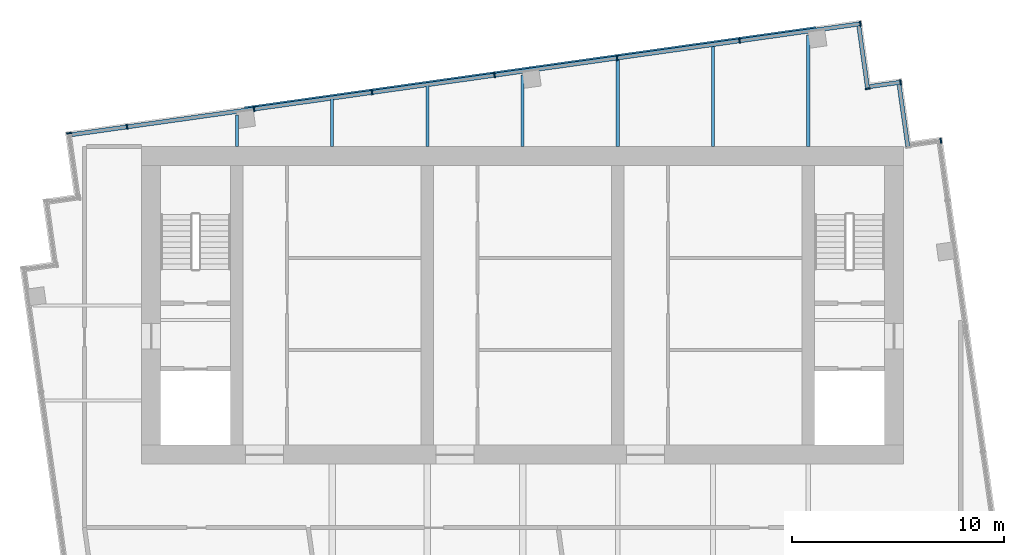
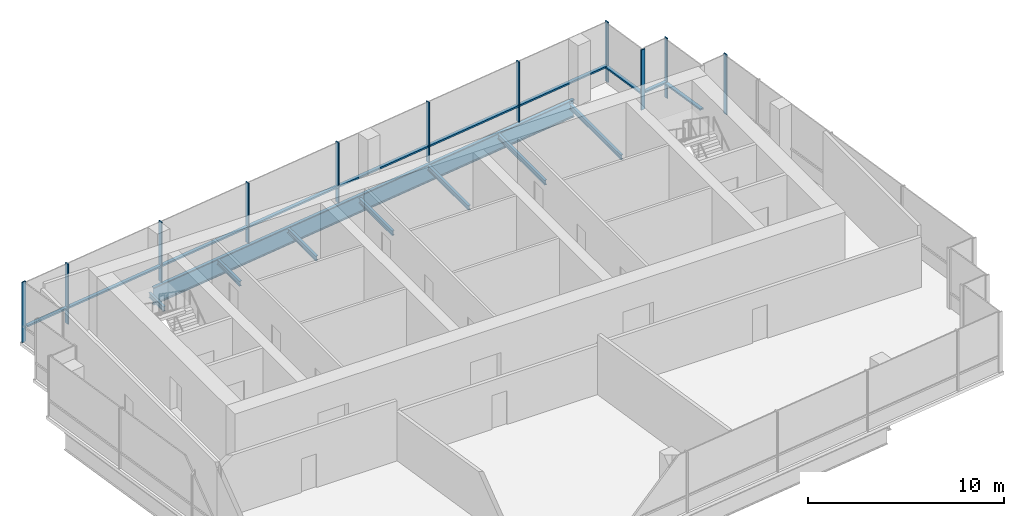
# One storey, part 5 of 9: 21 members, 9 beams, 6 elements without a shape of their own.
"""IFC4 building model written with IfcOpenShell, lengths in metres."""

from ifc_helpers import new_model, si_unit, direction, frame, origin, origin_2d, place, context, subcontext, project, spatial, rectangle, i_section, extrude, material, layer, layer_set, material_profile, profile_set, type_object, element, aggregate, save


model = new_model("IFC4")

# Units and contexts
model_context = context("Model", 3, precision=1e-05, world=origin(), true_north=direction((0.0, 1.0)))
body_context = subcontext(model_context, "Body", "Model", "MODEL_VIEW")
ifc_project = project(units=[si_unit("LENGTHUNIT", "METRE"), si_unit("AREAUNIT", "SQUARE_METRE"), si_unit("VOLUMEUNIT", "CUBIC_METRE"), si_unit("PLANEANGLEUNIT", "RADIAN"), si_unit("MASSUNIT", "GRAM", prefix="KILO")], contexts=[model_context])

# Site, building, storey
site_placement = place(None, origin())
site = spatial("IfcSite", under=ifc_project, at=site_placement, CompositionType="ELEMENT")
building_placement = place(site_placement, origin())
building = spatial("IfcBuilding", under=site, at=building_placement, Name="Rattan Terrace Tower", CompositionType="ELEMENT")
storey_placement = place(building_placement, frame((0.0, 0.0, 312.300048828125)))
storey = spatial("IfcBuildingStorey", under=building, at=storey_placement, Name="C06", CompositionType="ELEMENT", Elevation=312.300048828125)

# Beams
ifc_material_1 = material(Name="Steel S460", Category="steel")
ifc_material_profile_1 = material_profile(ifc_material_1, i_section(OverallWidth=0.179931640625, OverallDepth=1.10009765625, WebThickness=0.01611328125, FlangeThickness=0.050048828125, at=origin_2d()), Name="PG 1100x180-16-50")
ifc_profile_set_1 = profile_set([ifc_material_profile_1], Name="Steel S460")
beam_type_1 = type_object("IfcBeamType", Name="Frame edge girder PG 1100x180-16-50", PredefinedType="SPANDREL", material=ifc_profile_set_1)
beam_1_placement = place(storey_placement, frame((0.361083984375, 11.19189453125, -0.75), z_axis=(-0.990261517274, -0.139219709116, 0.0), x_axis=(0.139219709116, -0.990261517274, 0.0)))
element("IfcBeam", 1, at=beam_1_placement, inside=storey, type_object=beam_type_1, Name="gdr-C06-004", PredefinedType="SPANDREL", context=body_context, shape_type="SweptSolid", body=[
    extrude(i_section(OverallWidth=0.179931640625, OverallDepth=1.10009765625, WebThickness=0.01611328125, FlangeThickness=0.050048828125, at=origin_2d()), origin(), (0.0, 0.0, 1.0), 13.6328125),
])
beam_2_placement = place(storey_placement, frame((13.861083984375, 13.089111328125, -0.75), z_axis=(-0.990268922684, -0.139167024707, 0.0), x_axis=(0.139167024707, -0.990268922684, 0.0)))
element("IfcBeam", 2, at=beam_2_placement, inside=storey, type_object=beam_type_1, Name="gdr-C06-005", PredefinedType="SPANDREL", context=body_context, shape_type="SweptSolid", body=[
    extrude(i_section(OverallWidth=0.179931640625, OverallDepth=1.10009765625, WebThickness=0.01611328125, FlangeThickness=0.050048828125, at=origin_2d()), origin(), (0.0, 0.0, 1.0), 13.632568359375),
])
ifc_material_2 = material(Name="Steel S355", Category="steel")
ifc_material_profile_2 = material_profile(ifc_material_2, i_section(OverallWidth=0.14990234375, OverallDepth=0.300048828125, WebThickness=0.007080078125, FlangeThickness=0.0107421875, FilletRadius=0.014892578125, at=origin_2d()), Name="IPE 300")
ifc_profile_set_2 = profile_set([ifc_material_profile_2], Name="Steel S355")
beam_type_2 = type_object("IfcBeamType", Name="Frame floor beam IPE 300", PredefinedType="JOIST", material=ifc_profile_set_2)
beam_3_placement = place(storey_placement, frame((-13.5, 7.5, -0.35009765625), z_axis=(0.0, 1.0, 0.0), x_axis=(-1.0, 0.0, 0.0)))
element("IfcBeam", 3, at=beam_3_placement, inside=storey, type_object=beam_type_2, Name="bm-C06-011", PredefinedType="JOIST", context=body_context, shape_type="SweptSolid", body=[
    extrude(i_section(OverallWidth=0.14990234375, OverallDepth=0.300048828125, WebThickness=0.007080078125, FlangeThickness=0.0107421875, FilletRadius=0.014892578125, at=origin_2d()), origin(), (0.0, 0.0, 1.0), 1.487060546875),
])
beam_4_placement = place(storey_placement, frame((-9.0, 7.5, -0.35009765625), z_axis=(0.0, 1.0, 0.0), x_axis=(-1.0, 0.0, 0.0)))
element("IfcBeam", 4, at=beam_4_placement, inside=storey, type_object=beam_type_2, Name="bm-C06-012", PredefinedType="JOIST", context=body_context, shape_type="SweptSolid", body=[
    extrude(i_section(OverallWidth=0.14990234375, OverallDepth=0.300048828125, WebThickness=0.007080078125, FlangeThickness=0.0107421875, FilletRadius=0.014892578125, at=origin_2d()), origin(), (0.0, 0.0, 1.0), 2.284912109375),
])
beam_5_placement = place(storey_placement, frame((-4.5, 7.5, -0.35009765625), z_axis=(0.0, 1.0, 0.0), x_axis=(-1.0, 0.0, 0.0)))
element("IfcBeam", 5, at=beam_5_placement, inside=storey, type_object=beam_type_2, Name="bm-C06-013", PredefinedType="JOIST", context=body_context, shape_type="SweptSolid", body=[
    extrude(i_section(OverallWidth=0.14990234375, OverallDepth=0.300048828125, WebThickness=0.007080078125, FlangeThickness=0.0107421875, FilletRadius=0.014892578125, at=origin_2d()), origin(), (0.0, 0.0, 1.0), 2.91796875),
])
beam_6_placement = place(storey_placement, frame((0.0, 7.5, -0.35009765625), z_axis=(0.0, 1.0, 0.0), x_axis=(-1.0, 0.0, 0.0)))
element("IfcBeam", 6, at=beam_6_placement, inside=storey, type_object=beam_type_2, Name="bm-C06-014", PredefinedType="JOIST", context=body_context, shape_type="SweptSolid", body=[
    extrude(i_section(OverallWidth=0.14990234375, OverallDepth=0.300048828125, WebThickness=0.007080078125, FlangeThickness=0.0107421875, FilletRadius=0.014892578125, at=origin_2d()), origin(), (0.0, 0.0, 1.0), 3.385009765625),
])
beam_7_placement = place(storey_placement, frame((4.5, 7.5, -0.35009765625), z_axis=(0.0, 1.0, 0.0), x_axis=(-1.0, 0.0, 0.0)))
element("IfcBeam", 7, at=beam_7_placement, inside=storey, type_object=beam_type_2, Name="bm-C06-015", PredefinedType="JOIST", context=body_context, shape_type="SweptSolid", body=[
    extrude(i_section(OverallWidth=0.14990234375, OverallDepth=0.300048828125, WebThickness=0.007080078125, FlangeThickness=0.0107421875, FilletRadius=0.014892578125, at=origin_2d()), origin(), (0.0, 0.0, 1.0), 4.18310546875),
])
beam_8_placement = place(storey_placement, frame((9.0, 7.5, -0.35009765625), z_axis=(0.0, 1.0, 0.0), x_axis=(-1.0, 0.0, 0.0)))
element("IfcBeam", 8, at=beam_8_placement, inside=storey, type_object=beam_type_2, Name="bm-C06-016", PredefinedType="JOIST", context=body_context, shape_type="SweptSolid", body=[
    extrude(i_section(OverallWidth=0.14990234375, OverallDepth=0.300048828125, WebThickness=0.007080078125, FlangeThickness=0.0107421875, FilletRadius=0.014892578125, at=origin_2d()), origin(), (0.0, 0.0, 1.0), 4.81494140625),
])
beam_9_placement = place(storey_placement, frame((13.5, 7.5, -0.35009765625), z_axis=(0.0, 1.0, 0.0), x_axis=(-1.0, 0.0, 0.0)))
element("IfcBeam", 9, at=beam_9_placement, inside=storey, type_object=beam_type_2, Name="bm-C06-017", PredefinedType="JOIST", context=body_context, shape_type="SweptSolid", body=[
    extrude(i_section(OverallWidth=0.14990234375, OverallDepth=0.300048828125, WebThickness=0.007080078125, FlangeThickness=0.0107421875, FilletRadius=0.014892578125, at=origin_2d()), origin(), (0.0, 0.0, 1.0), 5.281982421875),
])

# Curtain wall, member
ifc_material_3 = material(Name="Aluminium and laminated glass", Category="aluminium")
ifc_layer = layer(ifc_material_3, 0.239990234375)
ifc_layer_set = layer_set([ifc_layer], Name="Lantern Stick Curtain Wall")
curtain_wall_type = type_object("IfcCurtainWallType", Name="Lantern Stick Curtain Wall", PredefinedType="NOTDEFINED", material=ifc_layer_set)
curtain_wall_1_placement = place(storey_placement, origin())
curtain_wall_1 = element("IfcCurtainWall", 10, at=curtain_wall_1_placement, inside=storey, type_object=curtain_wall_type, Name="Lantern curtain wall C06-12", PredefinedType="NOTDEFINED")
ifc_material_4 = material(Name="Aluminium", Category="aluminium")
ifc_material_profile_3 = material_profile(ifc_material_4, rectangle(XDim=0.070068359375, YDim=0.239990234375, at=origin_2d()), Name="Aluminium 70x240")
ifc_profile_set_3 = profile_set([ifc_material_profile_3], Name="Aluminium")
member_type_1 = type_object("IfcMemberType", Name="Lantern CW Mullion 70x240", PredefinedType="MULLION", material=ifc_profile_set_3)
member_1_placement = place(storey_placement, frame((19.763427734375, 7.77880859375, 0.0), z_axis=(0.0, 0.0, 1.0), x_axis=(-0.990227803001, -0.139459306479, 0.0)))
member_1 = element("IfcMember", 11, at=member_1_placement, type_object=member_type_1, Name="Mullion cwl-C06-012.1", PredefinedType="MULLION", context=body_context, shape_type="SweptSolid", body=[
    extrude(rectangle(XDim=0.070068359375, YDim=0.239990234375, at=origin_2d()), origin(), (0.0, 0.0, 1.0), 3.75),
])
aggregate(curtain_wall_1, [member_1])

curtain_wall_2_placement = place(storey_placement, origin())
curtain_wall_2 = element("IfcCurtainWall", 12, at=curtain_wall_2_placement, inside=storey, type_object=curtain_wall_type, Name="Lantern curtain wall C06-14", PredefinedType="NOTDEFINED")
member_2_placement = place(storey_placement, frame((17.860595703125, 10.54296875, 0.0), z_axis=(0.0, 0.0, 1.0), x_axis=(-0.990319742912, -0.13880492354, 0.0)))
member_2 = element("IfcMember", 13, at=member_2_placement, type_object=member_type_1, Name="Mullion cwl-C06-014.1", PredefinedType="MULLION", context=body_context, shape_type="SweptSolid", body=[
    extrude(rectangle(XDim=0.070068359375, YDim=0.239990234375, at=origin_2d()), origin(), (0.0, 0.0, 1.0), 3.75),
])

curtain_wall_3_placement = place(storey_placement, origin())
curtain_wall_3 = element("IfcCurtainWall", 14, at=curtain_wall_3_placement, inside=storey, type_object=curtain_wall_type, Name="Lantern curtain wall C06-15", PredefinedType="NOTDEFINED")
member_3_placement = place(storey_placement, frame((16.30419921875, 10.239013671875, 0.0), z_axis=(0.0, 0.0, 1.0), x_axis=(-0.139413247769, 0.990234288614, 0.0)))
member_3 = element("IfcMember", 15, at=member_3_placement, type_object=member_type_1, Name="Mullion cwl-C06-015.1", PredefinedType="MULLION", context=body_context, shape_type="SweptSolid", body=[
    extrude(rectangle(XDim=0.070068359375, YDim=0.239990234375, at=origin_2d()), origin(), (0.0, 0.0, 1.0), 3.75),
])

# Curtain wall, members
curtain_wall_4_placement = place(storey_placement, origin())
curtain_wall_4 = element("IfcCurtainWall", 16, at=curtain_wall_4_placement, inside=storey, type_object=curtain_wall_type, Name="Lantern curtain wall C06-16", PredefinedType="NOTDEFINED")
member_4_placement = place(storey_placement, frame((15.95849609375, 13.3037109375, 0.0), z_axis=(0.0, 0.0, 1.0), x_axis=(-0.990266952226, -0.13918104515, 0.0)))
member_4 = element("IfcMember", 17, at=member_4_placement, type_object=member_type_1, Name="Mullion cwl-C06-016.1", PredefinedType="MULLION", context=body_context, shape_type="SweptSolid", body=[
    extrude(rectangle(XDim=0.070068359375, YDim=0.239990234375, at=origin_2d()), origin(), (0.0, 0.0, 1.0), 3.75),
])
member_5_placement = place(storey_placement, frame((10.253662109375, 12.501953125, 0.0), z_axis=(0.0, 0.0, 1.0), x_axis=(-0.990266952226, -0.13918104515, 0.0)))
member_5 = element("IfcMember", 18, at=member_5_placement, type_object=member_type_1, Name="Mullion cwl-C06-016.2", PredefinedType="MULLION", context=body_context, shape_type="SweptSolid", body=[
    extrude(rectangle(XDim=0.070068359375, YDim=0.239990234375, at=origin_2d()), origin(), (0.0, 0.0, 1.0), 3.75),
])
member_6_placement = place(storey_placement, frame((4.464599609375, 11.6884765625, 0.0), z_axis=(0.0, 0.0, 1.0), x_axis=(-0.990266952226, -0.13918104515, 0.0)))
member_6 = element("IfcMember", 19, at=member_6_placement, type_object=member_type_1, Name="Mullion cwl-C06-016.3", PredefinedType="MULLION", context=body_context, shape_type="SweptSolid", body=[
    extrude(rectangle(XDim=0.070068359375, YDim=0.239990234375, at=origin_2d()), origin(), (0.0, 0.0, 1.0), 3.75),
])
member_7_placement = place(storey_placement, frame((-1.32470703125, 10.874755859375, 0.0), z_axis=(0.0, 0.0, 1.0), x_axis=(-0.990266952226, -0.13918104515, 0.0)))
member_7 = element("IfcMember", 20, at=member_7_placement, type_object=member_type_1, Name="Mullion cwl-C06-016.4", PredefinedType="MULLION", context=body_context, shape_type="SweptSolid", body=[
    extrude(rectangle(XDim=0.070068359375, YDim=0.239990234375, at=origin_2d()), origin(), (0.0, 0.0, 1.0), 3.75),
])
member_8_placement = place(storey_placement, frame((-7.11376953125, 10.06103515625, 0.0), z_axis=(0.0, 0.0, 1.0), x_axis=(-0.990266952226, -0.13918104515, 0.0)))
member_8 = element("IfcMember", 21, at=member_8_placement, type_object=member_type_1, Name="Mullion cwl-C06-016.5", PredefinedType="MULLION", context=body_context, shape_type="SweptSolid", body=[
    extrude(rectangle(XDim=0.070068359375, YDim=0.239990234375, at=origin_2d()), origin(), (0.0, 0.0, 1.0), 3.75),
])
member_9_placement = place(storey_placement, frame((-12.6875, 9.277587890625, 0.0), z_axis=(0.0, 0.0, 1.0), x_axis=(-0.990266952226, -0.13918104515, 0.0)))
member_9 = element("IfcMember", 22, at=member_9_placement, type_object=member_type_1, Name="Mullion cwl-C06-016.6", PredefinedType="MULLION", context=body_context, shape_type="SweptSolid", body=[
    extrude(rectangle(XDim=0.070068359375, YDim=0.239990234375, at=origin_2d()), origin(), (0.0, 0.0, 1.0), 3.75),
])
member_10_placement = place(storey_placement, frame((-18.69189453125, 8.433837890625, 0.0), z_axis=(0.0, 0.0, 1.0), x_axis=(-0.990266952226, -0.13918104515, 0.0)))
member_10 = element("IfcMember", 23, at=member_10_placement, type_object=member_type_1, Name="Mullion cwl-C06-016.7", PredefinedType="MULLION", context=body_context, shape_type="SweptSolid", body=[
    extrude(rectangle(XDim=0.070068359375, YDim=0.239990234375, at=origin_2d()), origin(), (0.0, 0.0, 1.0), 3.75),
])

# Curtain wall, member
curtain_wall_5_placement = place(storey_placement, origin())
curtain_wall_5 = element("IfcCurtainWall", 24, at=curtain_wall_5_placement, inside=storey, type_object=curtain_wall_type, Name="Lantern curtain wall C06-17", PredefinedType="NOTDEFINED")
member_11_placement = place(storey_placement, frame((-21.431884765625, 8.134521484375, 0.0), z_axis=(0.0, 0.0, 1.0), x_axis=(0.139040257975, -0.990286729519, 0.0)))
member_11 = element("IfcMember", 25, at=member_11_placement, type_object=member_type_1, Name="Mullion cwl-C06-017.1", PredefinedType="MULLION", context=body_context, shape_type="SweptSolid", body=[
    extrude(rectangle(XDim=0.070068359375, YDim=0.239990234375, at=origin_2d()), origin(), (0.0, 0.0, 1.0), 3.75),
])
aggregate(curtain_wall_5, [member_11])

curtain_wall_6_placement = place(storey_placement, origin())
curtain_wall_6 = element("IfcCurtainWall", 26, at=curtain_wall_6_placement, inside=storey, type_object=curtain_wall_type, Name="Lantern curtain wall C06-13", PredefinedType="NOTDEFINED")
ifc_material_5 = material(Name="Aluminium", Category="aluminium")
ifc_material_profile_4 = material_profile(ifc_material_5, rectangle(XDim=0.199951171875, YDim=0.10009765625, at=origin_2d()), Name="Aluminium 200x100")
ifc_profile_set_4 = profile_set([ifc_material_profile_4], Name="Aluminium")
member_type_2 = type_object("IfcMemberType", Name="Lantern CW Transom 200x100", PredefinedType="USERDEFINED", material=ifc_profile_set_4)
member_12_placement = place(storey_placement, frame((18.202392578125, 7.508544921875, 1.0), z_axis=(-0.139532909028, 0.990217434354, 0.0), x_axis=(-0.990217434354, -0.139532909028, 0.0)))
member_12 = element("IfcMember", 27, at=member_12_placement, type_object=member_type_2, Name="Transom cwl-C06-013.1", ObjectType="TRANSOM", PredefinedType="USERDEFINED", context=body_context, shape_type="SweptSolid", body=[
    extrude(rectangle(XDim=0.199951171875, YDim=0.10009765625, at=origin_2d()), origin(), (0.0, 0.0, 1.0), 2.9326171875),
])
aggregate(curtain_wall_6, [member_12])

# Member
member_13_placement = place(storey_placement, frame((17.825927734375, 10.5380859375, 1.0), z_axis=(-0.990301815941, -0.13893276555, 0.0), x_axis=(0.13893276555, -0.990301815941, 0.0)))
member_13 = element("IfcMember", 28, at=member_13_placement, type_object=member_type_2, Name="Transom cwl-C06-014.1", ObjectType="TRANSOM", PredefinedType="USERDEFINED", context=body_context, shape_type="SweptSolid", body=[
    extrude(rectangle(XDim=0.199951171875, YDim=0.10009765625, at=origin_2d()), origin(), (0.0, 0.0, 1.0), 1.4287109375),
])

aggregate(curtain_wall_2, [member_2, member_13])

member_14_placement = place(storey_placement, frame((16.29931640625, 10.2734375, 1.0), z_axis=(-0.139401737802, 0.990235909013, 0.0), x_axis=(-0.990235909013, -0.139401737802, 0.0)))
member_14 = element("IfcMember", 29, at=member_14_placement, type_object=member_type_2, Name="Transom cwl-C06-015.1", ObjectType="TRANSOM", PredefinedType="USERDEFINED", context=body_context, shape_type="SweptSolid", body=[
    extrude(rectangle(XDim=0.199951171875, YDim=0.10009765625, at=origin_2d()), origin(), (0.0, 0.0, 1.0), 2.92822265625),
])

aggregate(curtain_wall_3, [member_3, member_14])

member_15_placement = place(storey_placement, frame((15.923828125, 13.299072265625, 1.0), z_axis=(-0.990262771001, -0.139210791141, 0.0), x_axis=(0.139210791141, -0.990262771001, 0.0)))
member_15 = element("IfcMember", 30, at=member_15_placement, type_object=member_type_2, Name="Transom cwl-C06-016.1", ObjectType="TRANSOM", PredefinedType="USERDEFINED", context=body_context, shape_type="SweptSolid", body=[
    extrude(rectangle(XDim=0.199951171875, YDim=0.10009765625, at=origin_2d()), origin(), (0.0, 0.0, 1.0), 5.69091796875),
])

member_16_placement = place(storey_placement, frame((10.218994140625, 12.4970703125, 1.0), z_axis=(-0.990265684123, -0.139190067348, 0.0), x_axis=(0.139190067348, -0.990265684123, 0.0)))
member_16 = element("IfcMember", 31, at=member_16_placement, type_object=member_type_2, Name="Transom cwl-C06-016.2", ObjectType="TRANSOM", PredefinedType="USERDEFINED", context=body_context, shape_type="SweptSolid", body=[
    extrude(rectangle(XDim=0.199951171875, YDim=0.10009765625, at=origin_2d()), origin(), (0.0, 0.0, 1.0), 5.77587890625),
])

member_17_placement = place(storey_placement, frame((4.429931640625, 11.68359375, 1.0), z_axis=(-0.990266502976, -0.139184241508, 0.0), x_axis=(0.139184241508, -0.990266502976, 0.0)))
member_17 = element("IfcMember", 32, at=member_17_placement, type_object=member_type_2, Name="Transom cwl-C06-016.3", ObjectType="TRANSOM", PredefinedType="USERDEFINED", context=body_context, shape_type="SweptSolid", body=[
    extrude(rectangle(XDim=0.199951171875, YDim=0.10009765625, at=origin_2d()), origin(), (0.0, 0.0, 1.0), 5.776123046875),
])

member_18_placement = place(storey_placement, frame((-1.359375, 10.869873046875, 1.0), z_axis=(-0.990265684123, -0.139190067348, 0.0), x_axis=(0.139190067348, -0.990265684123, 0.0)))
member_18 = element("IfcMember", 33, at=member_18_placement, type_object=member_type_2, Name="Transom cwl-C06-016.4", ObjectType="TRANSOM", PredefinedType="USERDEFINED", context=body_context, shape_type="SweptSolid", body=[
    extrude(rectangle(XDim=0.199951171875, YDim=0.10009765625, at=origin_2d()), origin(), (0.0, 0.0, 1.0), 5.77587890625),
])

member_19_placement = place(storey_placement, frame((-7.1484375, 10.05615234375, 1.0), z_axis=(-0.990265851054, -0.139188879712, 0.0), x_axis=(0.139188879712, -0.990265851054, 0.0)))
member_19 = element("IfcMember", 34, at=member_19_placement, type_object=member_type_2, Name="Transom cwl-C06-016.5", ObjectType="TRANSOM", PredefinedType="USERDEFINED", context=body_context, shape_type="SweptSolid", body=[
    extrude(rectangle(XDim=0.199951171875, YDim=0.10009765625, at=origin_2d()), origin(), (0.0, 0.0, 1.0), 5.55859375),
])

member_20_placement = place(storey_placement, frame((-12.72216796875, 9.272705078125, 1.0), z_axis=(-0.990271143275, -0.139151222765, 0.0), x_axis=(0.139151222765, -0.990271143275, 0.0)))
member_20 = element("IfcMember", 35, at=member_20_placement, type_object=member_type_2, Name="Transom cwl-C06-016.6", ObjectType="TRANSOM", PredefinedType="USERDEFINED", context=body_context, shape_type="SweptSolid", body=[
    extrude(rectangle(XDim=0.199951171875, YDim=0.10009765625, at=origin_2d()), origin(), (0.0, 0.0, 1.0), 5.993408203125),
])

member_21_placement = place(storey_placement, frame((-18.7265625, 8.428955078125, 1.0), z_axis=(-0.990256983473, -0.139251953963, 0.0), x_axis=(0.139251953963, -0.990256983473, 0.0)))
member_21 = element("IfcMember", 36, at=member_21_placement, type_object=member_type_2, Name="Transom cwl-C06-016.7", ObjectType="TRANSOM", PredefinedType="USERDEFINED", context=body_context, shape_type="SweptSolid", body=[
    extrude(rectangle(XDim=0.199951171875, YDim=0.10009765625, at=origin_2d()), origin(), (0.0, 0.0, 1.0), 2.60009765625),
])

aggregate(curtain_wall_4, [member_4, member_5, member_6, member_7, member_8, member_9, member_10, member_15, member_16, member_17, member_18, member_19, member_20, member_21])

save(model, "model.ifc")
